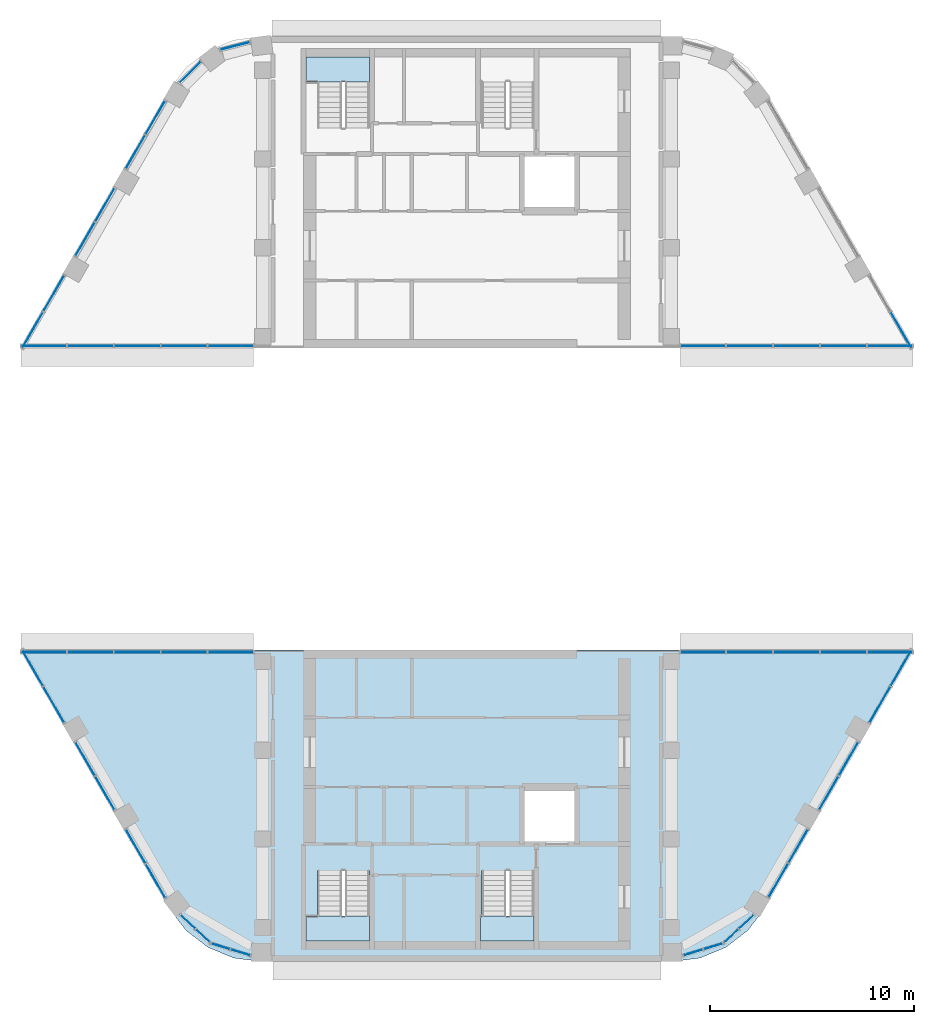
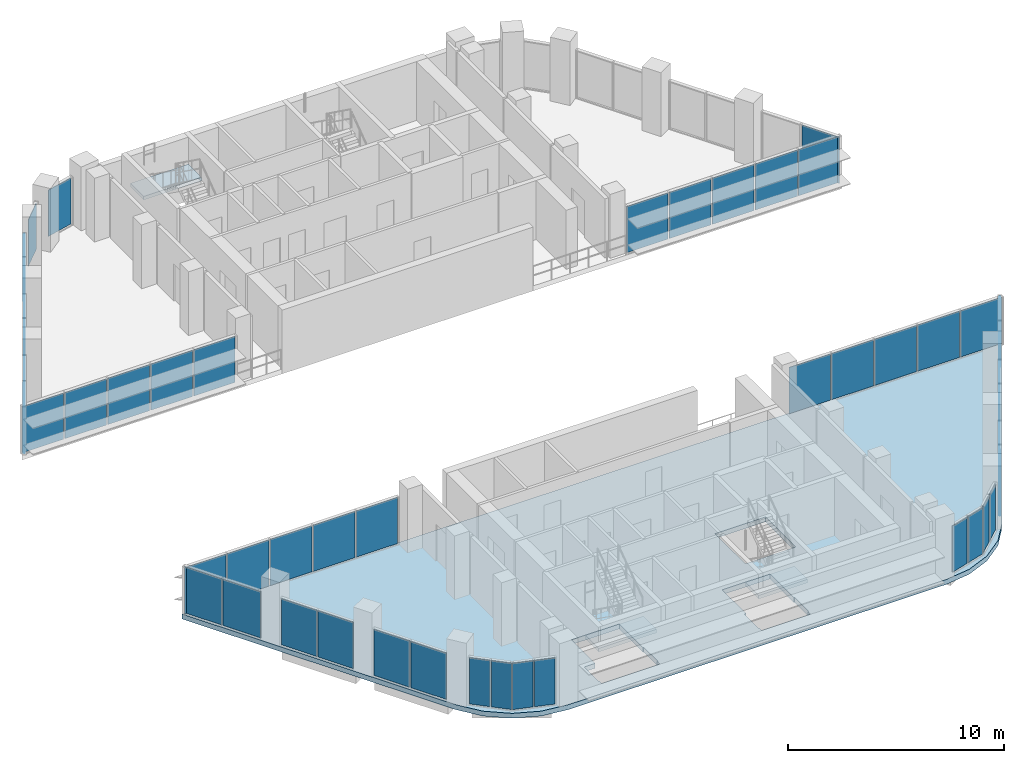
# One storey, part 8 of 15: 49 plates, 4 slabs, 23 elements without a shape of their own.
"""IFC4 building model written with IfcOpenShell, lengths in metres."""

from ifc_helpers import new_model, si_unit, direction, frame, origin, origin_2d, place, context, subcontext, project, spatial, polyline, rectangle, outline, extrude, material, layer, layer_set, type_object, element, aggregate, save


model = new_model("IFC4")

# Units and contexts
model_context = context("Model", 3, precision=1e-05, world=origin(), true_north=direction((0.0, 1.0)))
body_context = subcontext(model_context, "Body", "Model", "MODEL_VIEW")
ifc_project = project(units=[si_unit("LENGTHUNIT", "METRE"), si_unit("AREAUNIT", "SQUARE_METRE"), si_unit("VOLUMEUNIT", "CUBIC_METRE"), si_unit("PLANEANGLEUNIT", "RADIAN"), si_unit("MASSUNIT", "GRAM", prefix="KILO")], contexts=[model_context])

# Site, building, storey
site_placement = place(None, origin())
site = spatial("IfcSite", under=ifc_project, at=site_placement, CompositionType="ELEMENT")
building_placement = place(site_placement, origin())
building = spatial("IfcBuilding", under=site, at=building_placement, Name="Nakaniwa Court", CompositionType="ELEMENT")
storey_placement = place(building_placement, frame((0.0, 0.0, 283.199951171875)))
storey = spatial("IfcBuildingStorey", under=building, at=storey_placement, Name="C04", CompositionType="ELEMENT", Elevation=283.199951171875)

# Slab
ifc_material_1 = material(Name="Concrete C80/100", Category="concrete")
ifc_layer_1 = layer(ifc_material_1, 0.27490234375)
ifc_layer_set_1 = layer_set([ifc_layer_1], Name="Concrete C80/100")
slab_type_1 = type_object("IfcSlabType", Name="Concrete C80/100 post tensioned floor slab 275", PredefinedType="FLOOR", material=ifc_layer_set_1)
slab_1_placement = place(storey_placement, frame((0.0, 0.0, -0.27490234375)))
element("IfcSlab", 1, at=slab_1_placement, inside=storey, type_object=slab_type_1, Name="FLOOR SLAB", PredefinedType="FLOOR", context=body_context, shape_type="SweptSolid", body=[
    extrude(outline(polyline([(93.751708984375, 58.873046875), (94.578125, 59.949951171875), (101.881591796875, 72.60009765625), (58.118408203125, 72.60009765625), (65.421875, 59.949951171875), (66.248291015625, 58.873046875), (67.3251953125, 58.046630859375), (68.579345703125, 57.527099609375), (69.92529296875, 57.35009765625), (90.07470703125, 57.35009765625), (91.420654296875, 57.527099609375), (92.6748046875, 58.046630859375), (93.751708984375, 58.873046875)]), holes=[polyline([(75.22509765625, 58.31005859375), (75.264892578125, 58.31005859375), (75.264892578125, 59.614990234375), (75.22509765625, 59.614990234375), (75.22509765625, 61.81005859375), (72.675048828125, 61.81005859375), (72.675048828125, 59.614990234375), (72.0849609375, 59.614990234375), (72.0849609375, 58.31005859375), (72.125, 58.31005859375), (72.125, 58.074951171875), (75.22509765625, 58.074951171875), (75.22509765625, 58.31005859375)]), polyline([(83.27490234375, 58.31005859375), (83.31494140625, 58.31005859375), (83.31494140625, 59.614990234375), (83.27490234375, 59.614990234375), (83.27490234375, 61.81005859375), (80.72509765625, 61.81005859375), (80.72509765625, 59.614990234375), (80.635009765625, 59.614990234375), (80.635009765625, 58.31005859375), (80.675048828125, 58.31005859375), (80.675048828125, 58.074951171875), (83.27490234375, 58.074951171875), (83.27490234375, 58.31005859375)]), polyline([(82.699951171875, 63.10009765625), (85.39990234375, 63.10009765625), (85.39990234375, 65.89990234375), (82.699951171875, 65.89990234375), (82.699951171875, 63.10009765625)])]), origin(), (0.0, 0.0, 1.0), 0.27490234375),
])

# Curtain wall, plates
ifc_material_2 = material(Name="Black anodised aluminium frame with dark low-E laminated double glazing", Category="aluminium")
ifc_layer_2 = layer(ifc_material_2, 0.199951171875)
ifc_layer_set_2 = layer_set([ifc_layer_2], Name="Black anodised aluminium frame with dark low-E laminated double glazing")
curtain_wall_type = type_object("IfcCurtainWallType", Name="Crown curtain wall", PredefinedType="NOTDEFINED", material=ifc_layer_set_2)
curtain_wall_1_placement = place(storey_placement, origin())
curtain_wall_1 = element("IfcCurtainWall", 2, at=curtain_wall_1_placement, inside=storey, type_object=curtain_wall_type, Name="C04 curtain wall CW4 00", PredefinedType="NOTDEFINED")
ifc_material_3 = material(Name="Dark toughened glass", Category="glass")
ifc_layer_3 = layer(ifc_material_3, 0.007, Name="Outer pane")
ifc_material_4 = material(Name="Argon filled cavity")
ifc_layer_4 = layer(ifc_material_4, 0.016, Name="Cavity")
ifc_material_5 = material(Name="Dark laminated safety glass", Category="glass")
ifc_layer_5 = layer(ifc_material_5, 0.007, Name="Inner pane")
ifc_layer_set_3 = layer_set([ifc_layer_3, ifc_layer_4, ifc_layer_5], Name="Dark low-E laminated double glazing")
plate_type = type_object("IfcPlateType", Name="Crown curtain wall glass panel", PredefinedType="CURTAIN_PANEL", material=ifc_layer_set_3)
plate_1_placement = place(storey_placement, frame((95.25537109375, 61.322998046875, 0.05517578125), z_axis=(0.0, 0.0, 1.0), x_axis=(0.499986540445, 0.866033174523, 0.0)))
plate_1 = element("IfcPlate", 3, at=plate_1_placement, type_object=plate_type, Name="CW4 panel 1.1", PredefinedType="CURTAIN_PANEL", context=body_context, shape_type="SweptSolid", body=[
    extrude(rectangle(XDim=1.874755859375, YDim=0.030029296875, at=origin_2d()), origin(), (0.0, 0.0, 1.0), 2.614990234375),
])
plate_2_placement = place(storey_placement, frame((96.22509765625, 63.0029296875, 0.05517578125), z_axis=(0.0, 0.0, 1.0), x_axis=(0.499986540445, 0.866033174523, 0.0)))
plate_2 = element("IfcPlate", 4, at=plate_2_placement, type_object=plate_type, Name="CW4 panel 2.1", PredefinedType="CURTAIN_PANEL", context=body_context, shape_type="SweptSolid", body=[
    extrude(rectangle(XDim=1.874755859375, YDim=0.030029296875, at=origin_2d()), origin(), (0.0, 0.0, 1.0), 2.614990234375),
])
aggregate(curtain_wall_1, [plate_1, plate_2])

curtain_wall_2_placement = place(storey_placement, origin())
curtain_wall_2 = element("IfcCurtainWall", 5, at=curtain_wall_2_placement, inside=storey, type_object=curtain_wall_type, Name="C04 curtain wall CW4 01", PredefinedType="NOTDEFINED")
plate_3_placement = place(storey_placement, frame((97.723388671875, 65.597900390625, 0.05517578125), z_axis=(0.0, 0.0, 1.0), x_axis=(0.499986540445, 0.866033174523, 0.0)))
plate_3 = element("IfcPlate", 6, at=plate_3_placement, type_object=plate_type, Name="CW4 panel 1.1", PredefinedType="CURTAIN_PANEL", context=body_context, shape_type="SweptSolid", body=[
    extrude(rectangle(XDim=1.874755859375, YDim=0.030029296875, at=origin_2d()), origin(), (0.0, 0.0, 1.0), 2.614990234375),
])
plate_4_placement = place(storey_placement, frame((98.693359375, 67.27783203125, 0.05517578125), z_axis=(0.0, 0.0, 1.0), x_axis=(0.499986540445, 0.866033174523, 0.0)))
plate_4 = element("IfcPlate", 7, at=plate_4_placement, type_object=plate_type, Name="CW4 panel 2.1", PredefinedType="CURTAIN_PANEL", context=body_context, shape_type="SweptSolid", body=[
    extrude(rectangle(XDim=1.874755859375, YDim=0.030029296875, at=origin_2d()), origin(), (0.0, 0.0, 1.0), 2.614990234375),
])
aggregate(curtain_wall_2, [plate_3, plate_4])

curtain_wall_3_placement = place(storey_placement, origin())
curtain_wall_3 = element("IfcCurtainWall", 8, at=curtain_wall_3_placement, inside=storey, type_object=curtain_wall_type, Name="C04 curtain wall CW4 02", PredefinedType="NOTDEFINED")
plate_5_placement = place(storey_placement, frame((100.224609375, 69.93017578125, 0.05517578125), z_axis=(0.0, 0.0, 1.0), x_axis=(0.500007626024, 0.866021000852, 0.0)))
plate_5 = element("IfcPlate", 9, at=plate_5_placement, type_object=plate_type, Name="CW4 panel 1.1", PredefinedType="CURTAIN_PANEL", context=body_context, shape_type="SweptSolid", body=[
    extrude(rectangle(XDim=2.007080078125, YDim=0.030029296875, at=origin_2d()), origin(), (0.0, 0.0, 1.0), 2.614990234375),
])
plate_6_placement = place(storey_placement, frame((101.2607421875, 71.724609375, 0.05517578125), z_axis=(0.0, 0.0, 1.0), x_axis=(0.500007626024, 0.866021000852, 0.0)))
plate_6 = element("IfcPlate", 10, at=plate_6_placement, type_object=plate_type, Name="CW4 panel 2.1", PredefinedType="CURTAIN_PANEL", context=body_context, shape_type="SweptSolid", body=[
    extrude(rectangle(XDim=2.007080078125, YDim=0.030029296875, at=origin_2d()), origin(), (0.0, 0.0, 1.0), 2.614990234375),
])
aggregate(curtain_wall_3, [plate_5, plate_6])

curtain_wall_4_placement = place(storey_placement, origin())
curtain_wall_4 = element("IfcCurtainWall", 11, at=curtain_wall_4_placement, inside=storey, type_object=curtain_wall_type, Name="C04 curtain wall CW4 03", PredefinedType="NOTDEFINED")
plate_7_placement = place(storey_placement, frame((100.716796875, 72.5, 0.05517578125), z_axis=(0.0, 0.0, 1.0), x_axis=(-1.0, 0.0, 0.0)))
plate_7 = element("IfcPlate", 12, at=plate_7_placement, type_object=plate_type, Name="CW4 panel 1.1", PredefinedType="CURTAIN_PANEL", context=body_context, shape_type="SweptSolid", body=[
    extrude(rectangle(XDim=2.19970703125, YDim=0.030029296875, at=origin_2d()), origin(), (0.0, 0.0, 1.0), 2.614990234375),
])
plate_8_placement = place(storey_placement, frame((98.43603515625, 72.5, 0.05517578125), z_axis=(0.0, 0.0, 1.0), x_axis=(-1.0, 0.0, 0.0)))
plate_8 = element("IfcPlate", 13, at=plate_8_placement, type_object=plate_type, Name="CW4 panel 2.1", PredefinedType="CURTAIN_PANEL", context=body_context, shape_type="SweptSolid", body=[
    extrude(rectangle(XDim=2.232177734375, YDim=0.030029296875, at=origin_2d()), origin(), (0.0, 0.0, 1.0), 2.614990234375),
])
plate_9_placement = place(storey_placement, frame((96.138916015625, 72.5, 0.05517578125), z_axis=(0.0, 0.0, 1.0), x_axis=(-1.0, 0.0, 0.0)))
plate_9 = element("IfcPlate", 14, at=plate_9_placement, type_object=plate_type, Name="CW4 panel 3.1", PredefinedType="CURTAIN_PANEL", context=body_context, shape_type="SweptSolid", body=[
    extrude(rectangle(XDim=2.232177734375, YDim=0.030029296875, at=origin_2d()), origin(), (0.0, 0.0, 1.0), 2.614990234375),
])
plate_10_placement = place(storey_placement, frame((93.841796875, 72.5, 0.05517578125), z_axis=(0.0, 0.0, 1.0), x_axis=(-1.0, 0.0, 0.0)))
plate_10 = element("IfcPlate", 15, at=plate_10_placement, type_object=plate_type, Name="CW4 panel 4.1", PredefinedType="CURTAIN_PANEL", context=body_context, shape_type="SweptSolid", body=[
    extrude(rectangle(XDim=2.232177734375, YDim=0.030029296875, at=origin_2d()), origin(), (0.0, 0.0, 1.0), 2.614990234375),
])
plate_11_placement = place(storey_placement, frame((91.560791015625, 72.5, 0.05517578125), z_axis=(0.0, 0.0, 1.0), x_axis=(-1.0, 0.0, 0.0)))
plate_11 = element("IfcPlate", 16, at=plate_11_placement, type_object=plate_type, Name="CW4 panel 5.1", PredefinedType="CURTAIN_PANEL", context=body_context, shape_type="SweptSolid", body=[
    extrude(rectangle(XDim=2.19970703125, YDim=0.030029296875, at=origin_2d()), origin(), (0.0, 0.0, 1.0), 2.614990234375),
])
aggregate(curtain_wall_4, [plate_7, plate_8, plate_9, plate_10, plate_11])

curtain_wall_5_placement = place(storey_placement, origin())
curtain_wall_5 = element("IfcCurtainWall", 17, at=curtain_wall_5_placement, inside=storey, type_object=curtain_wall_type, Name="C04 curtain wall CW4 04", PredefinedType="NOTDEFINED")
plate_12_placement = place(storey_placement, frame((68.439208984375, 72.5, 0.05517578125), z_axis=(0.0, 0.0, 1.0), x_axis=(-1.0, 0.0, 0.0)))
plate_12 = element("IfcPlate", 18, at=plate_12_placement, type_object=plate_type, Name="CW4 panel 1.1", PredefinedType="CURTAIN_PANEL", context=body_context, shape_type="SweptSolid", body=[
    extrude(rectangle(XDim=2.19970703125, YDim=0.030029296875, at=origin_2d()), origin(), (0.0, 0.0, 1.0), 2.614990234375),
])
plate_13_placement = place(storey_placement, frame((66.158203125, 72.5, 0.05517578125), z_axis=(0.0, 0.0, 1.0), x_axis=(-1.0, 0.0, 0.0)))
plate_13 = element("IfcPlate", 19, at=plate_13_placement, type_object=plate_type, Name="CW4 panel 2.1", PredefinedType="CURTAIN_PANEL", context=body_context, shape_type="SweptSolid", body=[
    extrude(rectangle(XDim=2.232177734375, YDim=0.030029296875, at=origin_2d()), origin(), (0.0, 0.0, 1.0), 2.614990234375),
])
plate_14_placement = place(storey_placement, frame((63.861083984375, 72.5, 0.05517578125), z_axis=(0.0, 0.0, 1.0), x_axis=(-1.0, 0.0, 0.0)))
plate_14 = element("IfcPlate", 20, at=plate_14_placement, type_object=plate_type, Name="CW4 panel 3.1", PredefinedType="CURTAIN_PANEL", context=body_context, shape_type="SweptSolid", body=[
    extrude(rectangle(XDim=2.232177734375, YDim=0.030029296875, at=origin_2d()), origin(), (0.0, 0.0, 1.0), 2.614990234375),
])
plate_15_placement = place(storey_placement, frame((61.56396484375, 72.5, 0.05517578125), z_axis=(0.0, 0.0, 1.0), x_axis=(-1.0, 0.0, 0.0)))
plate_15 = element("IfcPlate", 21, at=plate_15_placement, type_object=plate_type, Name="CW4 panel 4.1", PredefinedType="CURTAIN_PANEL", context=body_context, shape_type="SweptSolid", body=[
    extrude(rectangle(XDim=2.232177734375, YDim=0.030029296875, at=origin_2d()), origin(), (0.0, 0.0, 1.0), 2.614990234375),
])
plate_16_placement = place(storey_placement, frame((59.283203125, 72.5, 0.05517578125), z_axis=(0.0, 0.0, 1.0), x_axis=(-1.0, 0.0, 0.0)))
plate_16 = element("IfcPlate", 22, at=plate_16_placement, type_object=plate_type, Name="CW4 panel 5.1", PredefinedType="CURTAIN_PANEL", context=body_context, shape_type="SweptSolid", body=[
    extrude(rectangle(XDim=2.19970703125, YDim=0.030029296875, at=origin_2d()), origin(), (0.0, 0.0, 1.0), 2.614990234375),
])
aggregate(curtain_wall_5, [plate_12, plate_13, plate_14, plate_15, plate_16])

curtain_wall_6_placement = place(storey_placement, origin())
curtain_wall_6 = element("IfcCurtainWall", 23, at=curtain_wall_6_placement, inside=storey, type_object=curtain_wall_type, Name="C04 curtain wall CW4 05", PredefinedType="NOTDEFINED")
plate_17_placement = place(storey_placement, frame((58.7392578125, 71.724609375, 0.05517578125), z_axis=(0.0, 0.0, 1.0), x_axis=(0.500007626024, -0.866021000852, 0.0)))
plate_17 = element("IfcPlate", 24, at=plate_17_placement, type_object=plate_type, Name="CW4 panel 1.1", PredefinedType="CURTAIN_PANEL", context=body_context, shape_type="SweptSolid", body=[
    extrude(rectangle(XDim=2.007080078125, YDim=0.030029296875, at=origin_2d()), origin(), (0.0, 0.0, 1.0), 2.614990234375),
])
plate_18_placement = place(storey_placement, frame((59.775390625, 69.93017578125, 0.05517578125), z_axis=(0.0, 0.0, 1.0), x_axis=(0.500007626024, -0.866021000852, 0.0)))
plate_18 = element("IfcPlate", 25, at=plate_18_placement, type_object=plate_type, Name="CW4 panel 2.1", PredefinedType="CURTAIN_PANEL", context=body_context, shape_type="SweptSolid", body=[
    extrude(rectangle(XDim=2.007080078125, YDim=0.030029296875, at=origin_2d()), origin(), (0.0, 0.0, 1.0), 2.614990234375),
])
aggregate(curtain_wall_6, [plate_17, plate_18])

curtain_wall_7_placement = place(storey_placement, origin())
curtain_wall_7 = element("IfcCurtainWall", 26, at=curtain_wall_7_placement, inside=storey, type_object=curtain_wall_type, Name="C04 curtain wall CW4 06", PredefinedType="NOTDEFINED")
plate_19_placement = place(storey_placement, frame((61.306640625, 67.27783203125, 0.05517578125), z_axis=(0.0, 0.0, 1.0), x_axis=(0.499986540445, -0.866033174523, 0.0)))
plate_19 = element("IfcPlate", 27, at=plate_19_placement, type_object=plate_type, Name="CW4 panel 1.1", PredefinedType="CURTAIN_PANEL", context=body_context, shape_type="SweptSolid", body=[
    extrude(rectangle(XDim=1.874755859375, YDim=0.030029296875, at=origin_2d()), origin(), (0.0, 0.0, 1.0), 2.614990234375),
])
plate_20_placement = place(storey_placement, frame((62.276611328125, 65.597900390625, 0.05517578125), z_axis=(0.0, 0.0, 1.0), x_axis=(0.499986540445, -0.866033174523, 0.0)))
plate_20 = element("IfcPlate", 28, at=plate_20_placement, type_object=plate_type, Name="CW4 panel 2.1", PredefinedType="CURTAIN_PANEL", context=body_context, shape_type="SweptSolid", body=[
    extrude(rectangle(XDim=1.874755859375, YDim=0.030029296875, at=origin_2d()), origin(), (0.0, 0.0, 1.0), 2.614990234375),
])
aggregate(curtain_wall_7, [plate_19, plate_20])

curtain_wall_8_placement = place(storey_placement, origin())
curtain_wall_8 = element("IfcCurtainWall", 29, at=curtain_wall_8_placement, inside=storey, type_object=curtain_wall_type, Name="C04 curtain wall CW4 07", PredefinedType="NOTDEFINED")
plate_21_placement = place(storey_placement, frame((63.779296875, 62.995361328125, 0.05517578125), z_axis=(0.0, 0.0, 1.0), x_axis=(0.499995809815, -0.866027822975, 0.0)))
plate_21 = element("IfcPlate", 30, at=plate_21_placement, type_object=plate_type, Name="CW4 panel 1.1", PredefinedType="CURTAIN_PANEL", context=body_context, shape_type="SweptSolid", body=[
    extrude(rectangle(XDim=1.892333984375, YDim=0.030029296875, at=origin_2d()), origin(), (0.0, 0.0, 1.0), 2.614990234375),
])
plate_22_placement = place(storey_placement, frame((64.7578125, 61.30029296875, 0.05517578125), z_axis=(0.0, 0.0, 1.0), x_axis=(0.499995809815, -0.866027822975, 0.0)))
plate_22 = element("IfcPlate", 31, at=plate_22_placement, type_object=plate_type, Name="CW4 panel 2.1", PredefinedType="CURTAIN_PANEL", context=body_context, shape_type="SweptSolid", body=[
    extrude(rectangle(XDim=1.892333984375, YDim=0.030029296875, at=origin_2d()), origin(), (0.0, 0.0, 1.0), 2.614990234375),
])
aggregate(curtain_wall_8, [plate_21, plate_22])

curtain_wall_9_placement = place(storey_placement, origin())
curtain_wall_9 = element("IfcCurtainWall", 32, at=curtain_wall_9_placement, inside=storey, type_object=curtain_wall_type, Name="C04 curtain wall CW4 08", PredefinedType="NOTDEFINED")
plate_23_placement = place(storey_placement, frame((66.3349609375, 59.296875, 0.05517578125), z_axis=(0.0, 0.0, 1.0), x_axis=(0.729311166562, -0.684182155809, 0.0)))
plate_23 = element("IfcPlate", 33, at=plate_23_placement, type_object=plate_type, Name="CW4 panel 1.1", PredefinedType="CURTAIN_PANEL", context=body_context, shape_type="SweptSolid", body=[
    extrude(rectangle(XDim=0.965087890625, YDim=0.030029296875, at=origin_2d()), origin(), (0.0, 0.0, 1.0), 2.614990234375),
])
plate_24_placement = place(storey_placement, frame((67.086181640625, 58.592041015625, 0.05517578125), z_axis=(0.0, 0.0, 1.0), x_axis=(0.729311166562, -0.684182155809, 0.0)))
plate_24 = element("IfcPlate", 34, at=plate_24_placement, type_object=plate_type, Name="CW4 panel 2.1", PredefinedType="CURTAIN_PANEL", context=body_context, shape_type="SweptSolid", body=[
    extrude(rectangle(XDim=0.965087890625, YDim=0.030029296875, at=origin_2d()), origin(), (0.0, 0.0, 1.0), 2.614990234375),
])
aggregate(curtain_wall_9, [plate_23, plate_24])

curtain_wall_10_placement = place(storey_placement, origin())
curtain_wall_10 = element("IfcCurtainWall", 35, at=curtain_wall_10_placement, inside=storey, type_object=curtain_wall_type, Name="C04 curtain wall CW4 09", PredefinedType="NOTDEFINED")
plate_25_placement = place(storey_placement, frame((67.920654296875, 58.10302734375, 0.05517578125), z_axis=(0.0, 0.0, 1.0), x_axis=(0.955957155976, -0.293506245143, 0.0)))
plate_25 = element("IfcPlate", 36, at=plate_25_placement, type_object=plate_type, Name="CW4 panel 1.1", PredefinedType="CURTAIN_PANEL", context=body_context, shape_type="SweptSolid", body=[
    extrude(rectangle(XDim=0.9755859375, YDim=0.030029296875, at=origin_2d()), origin(), (0.0, 0.0, 1.0), 2.614990234375),
])
plate_26_placement = place(storey_placement, frame((68.915283203125, 57.797607421875, 0.05517578125), z_axis=(0.0, 0.0, 1.0), x_axis=(0.955957155976, -0.293506245143, 0.0)))
plate_26 = element("IfcPlate", 37, at=plate_26_placement, type_object=plate_type, Name="CW4 panel 2.1", PredefinedType="CURTAIN_PANEL", context=body_context, shape_type="SweptSolid", body=[
    extrude(rectangle(XDim=0.9755859375, YDim=0.030029296875, at=origin_2d()), origin(), (0.0, 0.0, 1.0), 2.614990234375),
])
aggregate(curtain_wall_10, [plate_25, plate_26])

curtain_wall_11_placement = place(storey_placement, origin())
curtain_wall_11 = element("IfcCurtainWall", 38, at=curtain_wall_11_placement, inside=storey, type_object=curtain_wall_type, Name="C04 curtain wall CW4 11", PredefinedType="NOTDEFINED")
plate_27_placement = place(storey_placement, frame((91.080322265625, 57.797607421875, 0.05517578125), z_axis=(0.0, 0.0, 1.0), x_axis=(0.956093974267, 0.293060253821, 0.0)))
plate_27 = element("IfcPlate", 39, at=plate_27_placement, type_object=plate_type, Name="CW4 panel 1.1", PredefinedType="CURTAIN_PANEL", context=body_context, shape_type="SweptSolid", body=[
    extrude(rectangle(XDim=0.978271484375, YDim=0.030029296875, at=origin_2d()), origin(), (0.0, 0.0, 1.0), 2.614990234375),
])
plate_28_placement = place(storey_placement, frame((92.077880859375, 58.103271484375, 0.05517578125), z_axis=(0.0, 0.0, 1.0), x_axis=(0.956093974267, 0.293060253821, 0.0)))
plate_28 = element("IfcPlate", 40, at=plate_28_placement, type_object=plate_type, Name="CW4 panel 2.1", PredefinedType="CURTAIN_PANEL", context=body_context, shape_type="SweptSolid", body=[
    extrude(rectangle(XDim=0.978271484375, YDim=0.030029296875, at=origin_2d()), origin(), (0.0, 0.0, 1.0), 2.614990234375),
])
aggregate(curtain_wall_11, [plate_27, plate_28])

curtain_wall_12_placement = place(storey_placement, origin())
curtain_wall_12 = element("IfcCurtainWall", 41, at=curtain_wall_12_placement, inside=storey, type_object=curtain_wall_type, Name="C04 curtain wall CW4 12", PredefinedType="NOTDEFINED")
plate_29_placement = place(storey_placement, frame((92.923828125, 58.590576171875, 0.05517578125), z_axis=(0.0, 0.0, 1.0), x_axis=(0.732114316001, 0.681181788002, 0.0)))
plate_29 = element("IfcPlate", 42, at=plate_29_placement, type_object=plate_type, Name="CW4 panel 1.1", PredefinedType="CURTAIN_PANEL", context=body_context, shape_type="SweptSolid", body=[
    extrude(rectangle(XDim=0.9755859375, YDim=0.030029296875, at=origin_2d()), origin(), (0.0, 0.0, 1.0), 2.614990234375),
])
plate_30_placement = place(storey_placement, frame((93.685546875, 59.29931640625, 0.05517578125), z_axis=(0.0, 0.0, 1.0), x_axis=(0.732114316001, 0.681181788002, 0.0)))
plate_30 = element("IfcPlate", 43, at=plate_30_placement, type_object=plate_type, Name="CW4 panel 2.1", PredefinedType="CURTAIN_PANEL", context=body_context, shape_type="SweptSolid", body=[
    extrude(rectangle(XDim=0.9755859375, YDim=0.030029296875, at=origin_2d()), origin(), (0.0, 0.0, 1.0), 2.614990234375),
])
aggregate(curtain_wall_12, [plate_29, plate_30])

curtain_wall_13_placement = place(storey_placement, origin())
curtain_wall_13 = element("IfcCurtainWall", 44, at=curtain_wall_13_placement, inside=storey, type_object=curtain_wall_type, Name="C04 curtain wall CW4 13", PredefinedType="NOTDEFINED")
plate_31_placement = place(storey_placement, frame((64.74462890625, 98.677001953125, 0.05517578125), z_axis=(0.0, 0.0, 1.0), x_axis=(-0.499986540445, -0.866033174523, 0.0)))
plate_31 = element("IfcPlate", 45, at=plate_31_placement, type_object=plate_type, Name="CW4 panel 1.1", PredefinedType="CURTAIN_PANEL", context=body_context, shape_type="SweptSolid", body=[
    extrude(rectangle(XDim=1.874755859375, YDim=0.030029296875, at=origin_2d()), origin(), (0.0, 0.0, 1.0), 2.614990234375),
])
plate_32_placement = place(storey_placement, frame((63.77490234375, 96.9970703125, 0.05517578125), z_axis=(0.0, 0.0, 1.0), x_axis=(-0.499986540445, -0.866033174523, 0.0)))
plate_32 = element("IfcPlate", 46, at=plate_32_placement, type_object=plate_type, Name="CW4 panel 2.1", PredefinedType="CURTAIN_PANEL", context=body_context, shape_type="SweptSolid", body=[
    extrude(rectangle(XDim=1.874755859375, YDim=0.030029296875, at=origin_2d()), origin(), (0.0, 0.0, 1.0), 2.614990234375),
])
aggregate(curtain_wall_13, [plate_31, plate_32])

curtain_wall_14_placement = place(storey_placement, origin())
curtain_wall_14 = element("IfcCurtainWall", 47, at=curtain_wall_14_placement, inside=storey, type_object=curtain_wall_type, Name="C04 curtain wall CW4 14", PredefinedType="NOTDEFINED")
plate_33_placement = place(storey_placement, frame((62.276611328125, 94.402099609375, 0.05517578125), z_axis=(0.0, 0.0, 1.0), x_axis=(-0.499986540445, -0.866033174523, 0.0)))
plate_33 = element("IfcPlate", 48, at=plate_33_placement, type_object=plate_type, Name="CW4 panel 1.1", PredefinedType="CURTAIN_PANEL", context=body_context, shape_type="SweptSolid", body=[
    extrude(rectangle(XDim=1.874755859375, YDim=0.030029296875, at=origin_2d()), origin(), (0.0, 0.0, 1.0), 2.614990234375),
])
plate_34_placement = place(storey_placement, frame((61.306640625, 92.72216796875, 0.05517578125), z_axis=(0.0, 0.0, 1.0), x_axis=(-0.499986540445, -0.866033174523, 0.0)))
plate_34 = element("IfcPlate", 49, at=plate_34_placement, type_object=plate_type, Name="CW4 panel 2.1", PredefinedType="CURTAIN_PANEL", context=body_context, shape_type="SweptSolid", body=[
    extrude(rectangle(XDim=1.874755859375, YDim=0.030029296875, at=origin_2d()), origin(), (0.0, 0.0, 1.0), 2.614990234375),
])
aggregate(curtain_wall_14, [plate_33, plate_34])

curtain_wall_15_placement = place(storey_placement, origin())
curtain_wall_15 = element("IfcCurtainWall", 50, at=curtain_wall_15_placement, inside=storey, type_object=curtain_wall_type, Name="C04 curtain wall CW4 15", PredefinedType="NOTDEFINED")
plate_35_placement = place(storey_placement, frame((59.775390625, 90.06982421875, 0.05517578125), z_axis=(0.0, 0.0, 1.0), x_axis=(-0.500007626024, -0.866021000852, 0.0)))
plate_35 = element("IfcPlate", 51, at=plate_35_placement, type_object=plate_type, Name="CW4 panel 1.1", PredefinedType="CURTAIN_PANEL", context=body_context, shape_type="SweptSolid", body=[
    extrude(rectangle(XDim=2.007080078125, YDim=0.030029296875, at=origin_2d()), origin(), (0.0, 0.0, 1.0), 2.614990234375),
])
plate_36_placement = place(storey_placement, frame((58.7392578125, 88.275390625, 0.05517578125), z_axis=(0.0, 0.0, 1.0), x_axis=(-0.500007626024, -0.866021000852, 0.0)))
plate_36 = element("IfcPlate", 52, at=plate_36_placement, type_object=plate_type, Name="CW4 panel 2.1", PredefinedType="CURTAIN_PANEL", context=body_context, shape_type="SweptSolid", body=[
    extrude(rectangle(XDim=2.007080078125, YDim=0.030029296875, at=origin_2d()), origin(), (0.0, 0.0, 1.0), 2.614990234375),
])
aggregate(curtain_wall_15, [plate_35, plate_36])

curtain_wall_16_placement = place(storey_placement, origin())
curtain_wall_16 = element("IfcCurtainWall", 53, at=curtain_wall_16_placement, inside=storey, type_object=curtain_wall_type, Name="C04 curtain wall CW4 16", PredefinedType="NOTDEFINED")
plate_37_placement = place(storey_placement, frame((59.283203125, 87.5, 0.05517578125), z_axis=(0.0, 0.0, 1.0), x_axis=(1.0, 0.0, 0.0)))
plate_37 = element("IfcPlate", 54, at=plate_37_placement, type_object=plate_type, Name="CW4 panel 1.1", PredefinedType="CURTAIN_PANEL", context=body_context, shape_type="SweptSolid", body=[
    extrude(rectangle(XDim=2.19970703125, YDim=0.030029296875, at=origin_2d()), origin(), (0.0, 0.0, 1.0), 2.614990234375),
])
plate_38_placement = place(storey_placement, frame((61.56396484375, 87.5, 0.05517578125), z_axis=(0.0, 0.0, 1.0), x_axis=(1.0, 0.0, 0.0)))
plate_38 = element("IfcPlate", 55, at=plate_38_placement, type_object=plate_type, Name="CW4 panel 2.1", PredefinedType="CURTAIN_PANEL", context=body_context, shape_type="SweptSolid", body=[
    extrude(rectangle(XDim=2.232177734375, YDim=0.030029296875, at=origin_2d()), origin(), (0.0, 0.0, 1.0), 2.614990234375),
])
plate_39_placement = place(storey_placement, frame((63.861083984375, 87.5, 0.05517578125), z_axis=(0.0, 0.0, 1.0), x_axis=(1.0, 0.0, 0.0)))
plate_39 = element("IfcPlate", 56, at=plate_39_placement, type_object=plate_type, Name="CW4 panel 3.1", PredefinedType="CURTAIN_PANEL", context=body_context, shape_type="SweptSolid", body=[
    extrude(rectangle(XDim=2.232177734375, YDim=0.030029296875, at=origin_2d()), origin(), (0.0, 0.0, 1.0), 2.614990234375),
])
plate_40_placement = place(storey_placement, frame((66.158203125, 87.5, 0.05517578125), z_axis=(0.0, 0.0, 1.0), x_axis=(1.0, 0.0, 0.0)))
plate_40 = element("IfcPlate", 57, at=plate_40_placement, type_object=plate_type, Name="CW4 panel 4.1", PredefinedType="CURTAIN_PANEL", context=body_context, shape_type="SweptSolid", body=[
    extrude(rectangle(XDim=2.232177734375, YDim=0.030029296875, at=origin_2d()), origin(), (0.0, 0.0, 1.0), 2.614990234375),
])
plate_41_placement = place(storey_placement, frame((68.439208984375, 87.5, 0.05517578125), z_axis=(0.0, 0.0, 1.0), x_axis=(1.0, 0.0, 0.0)))
plate_41 = element("IfcPlate", 58, at=plate_41_placement, type_object=plate_type, Name="CW4 panel 5.1", PredefinedType="CURTAIN_PANEL", context=body_context, shape_type="SweptSolid", body=[
    extrude(rectangle(XDim=2.19970703125, YDim=0.030029296875, at=origin_2d()), origin(), (0.0, 0.0, 1.0), 2.614990234375),
])
aggregate(curtain_wall_16, [plate_37, plate_38, plate_39, plate_40, plate_41])

curtain_wall_17_placement = place(storey_placement, origin())
curtain_wall_17 = element("IfcCurtainWall", 59, at=curtain_wall_17_placement, inside=storey, type_object=curtain_wall_type, Name="C04 curtain wall CW4 17", PredefinedType="NOTDEFINED")
plate_42_placement = place(storey_placement, frame((91.560791015625, 87.5, 0.05517578125), z_axis=(0.0, 0.0, 1.0), x_axis=(1.0, 0.0, 0.0)))
plate_42 = element("IfcPlate", 60, at=plate_42_placement, type_object=plate_type, Name="CW4 panel 1.1", PredefinedType="CURTAIN_PANEL", context=body_context, shape_type="SweptSolid", body=[
    extrude(rectangle(XDim=2.19970703125, YDim=0.030029296875, at=origin_2d()), origin(), (0.0, 0.0, 1.0), 2.614990234375),
])
plate_43_placement = place(storey_placement, frame((93.841796875, 87.5, 0.05517578125), z_axis=(0.0, 0.0, 1.0), x_axis=(1.0, 0.0, 0.0)))
plate_43 = element("IfcPlate", 61, at=plate_43_placement, type_object=plate_type, Name="CW4 panel 2.1", PredefinedType="CURTAIN_PANEL", context=body_context, shape_type="SweptSolid", body=[
    extrude(rectangle(XDim=2.232177734375, YDim=0.030029296875, at=origin_2d()), origin(), (0.0, 0.0, 1.0), 2.614990234375),
])
plate_44_placement = place(storey_placement, frame((96.138916015625, 87.5, 0.05517578125), z_axis=(0.0, 0.0, 1.0), x_axis=(1.0, 0.0, 0.0)))
plate_44 = element("IfcPlate", 62, at=plate_44_placement, type_object=plate_type, Name="CW4 panel 3.1", PredefinedType="CURTAIN_PANEL", context=body_context, shape_type="SweptSolid", body=[
    extrude(rectangle(XDim=2.232177734375, YDim=0.030029296875, at=origin_2d()), origin(), (0.0, 0.0, 1.0), 2.614990234375),
])
plate_45_placement = place(storey_placement, frame((98.43603515625, 87.5, 0.05517578125), z_axis=(0.0, 0.0, 1.0), x_axis=(1.0, 0.0, 0.0)))
plate_45 = element("IfcPlate", 63, at=plate_45_placement, type_object=plate_type, Name="CW4 panel 4.1", PredefinedType="CURTAIN_PANEL", context=body_context, shape_type="SweptSolid", body=[
    extrude(rectangle(XDim=2.232177734375, YDim=0.030029296875, at=origin_2d()), origin(), (0.0, 0.0, 1.0), 2.614990234375),
])
plate_46_placement = place(storey_placement, frame((100.716796875, 87.5, 0.05517578125), z_axis=(0.0, 0.0, 1.0), x_axis=(1.0, 0.0, 0.0)))
plate_46 = element("IfcPlate", 64, at=plate_46_placement, type_object=plate_type, Name="CW4 panel 5.1", PredefinedType="CURTAIN_PANEL", context=body_context, shape_type="SweptSolid", body=[
    extrude(rectangle(XDim=2.19970703125, YDim=0.030029296875, at=origin_2d()), origin(), (0.0, 0.0, 1.0), 2.614990234375),
])
aggregate(curtain_wall_17, [plate_42, plate_43, plate_44, plate_45, plate_46])

# Curtain wall, plate
curtain_wall_18_placement = place(storey_placement, origin())
curtain_wall_18 = element("IfcCurtainWall", 65, at=curtain_wall_18_placement, inside=storey, type_object=curtain_wall_type, Name="C04 curtain wall CW4 18", PredefinedType="NOTDEFINED")
plate_47_placement = place(storey_placement, frame((101.2607421875, 88.275390625, 0.05517578125), z_axis=(0.0, 0.0, 1.0), x_axis=(-0.500007626024, 0.866021000852, 0.0)))
plate_47 = element("IfcPlate", 66, at=plate_47_placement, type_object=plate_type, Name="CW4 panel 1.1", PredefinedType="CURTAIN_PANEL", context=body_context, shape_type="SweptSolid", body=[
    extrude(rectangle(XDim=2.007080078125, YDim=0.030029296875, at=origin_2d()), origin(), (0.0, 0.0, 1.0), 2.614990234375),
])
aggregate(curtain_wall_18, [plate_47])

curtain_wall_19_placement = place(storey_placement, origin())
curtain_wall_19 = element("IfcCurtainWall", 67, at=curtain_wall_19_placement, inside=storey, type_object=curtain_wall_type, Name="C04 curtain wall CW4 24", PredefinedType="NOTDEFINED")
plate_48_placement = place(storey_placement, frame((68.650390625, 102.18359375, 0.05517578125), z_axis=(0.0, 0.0, 1.0), x_axis=(-0.968746424222, -0.248053150669, 0.0)))
plate_48 = element("IfcPlate", 68, at=plate_48_placement, type_object=plate_type, Name="CW4 panel 1.1", PredefinedType="CURTAIN_PANEL", context=body_context, shape_type="SweptSolid", body=[
    extrude(rectangle(XDim=1.468017578125, YDim=0.030029296875, at=origin_2d()), origin(), (0.0, 0.0, 1.0), 2.614990234375),
])
aggregate(curtain_wall_19, [plate_48])

curtain_wall_20_placement = place(storey_placement, origin())
curtain_wall_20 = element("IfcCurtainWall", 69, at=curtain_wall_20_placement, inside=storey, type_object=curtain_wall_type, Name="C04 curtain wall CW4 25", PredefinedType="NOTDEFINED")
plate_49_placement = place(storey_placement, frame((66.445068359375, 100.892333984375, 0.05517578125), z_axis=(0.0, 0.0, 1.0), x_axis=(-0.708563227169, -0.705647329126, 0.0)))
plate_49 = element("IfcPlate", 70, at=plate_49_placement, type_object=plate_type, Name="CW4 panel 1.1", PredefinedType="CURTAIN_PANEL", context=body_context, shape_type="SweptSolid", body=[
    extrude(rectangle(XDim=1.447509765625, YDim=0.030029296875, at=origin_2d()), origin(), (0.0, 0.0, 1.0), 2.614990234375),
])
aggregate(curtain_wall_20, [plate_49])

# Stair, slab
stair_type = type_object("IfcStairType", Name="Dog leg stair 1200 wide 20 risers", PredefinedType="HALF_TURN_STAIR", material=ifc_material_1)
stair_1_placement = place(storey_placement, origin())
stair_1 = element("IfcStair", 71, at=stair_1_placement, inside=storey, type_object=stair_type, Name="C04 Stair ST1", PredefinedType="HALF_TURN_STAIR")
ifc_layer_6 = layer(ifc_material_1, 0.199951171875)
ifc_layer_set_4 = layer_set([ifc_layer_6], Name="Concrete C80/100")
slab_type_2 = type_object("IfcSlabType", Name="Stair landing concrete", PredefinedType="LANDING", material=ifc_layer_set_4)
slab_2_placement = place(storey_placement, frame((0.0, 0.0, 1.60009765625)))
slab_2 = element("IfcSlab", 72, at=slab_2_placement, type_object=slab_type_2, Name="ST1 landing 1", PredefinedType="LANDING", context=body_context, shape_type="SweptSolid", body=[
    extrude(outline(polyline([(75.22509765625, 100.425048828125), (75.22509765625, 101.64990234375), (72.125, 101.64990234375), (72.125, 100.425048828125), (75.22509765625, 100.425048828125)])), origin(), (0.0, 0.0, 1.0), 0.199951171875),
])
aggregate(stair_1, [slab_2])

stair_2_placement = place(storey_placement, origin())
stair_2 = element("IfcStair", 73, at=stair_2_placement, inside=storey, type_object=stair_type, Name="C04 Stair ST3", PredefinedType="HALF_TURN_STAIR")
slab_3_placement = place(storey_placement, frame((0.0, 0.0, 1.60009765625)))
slab_3 = element("IfcSlab", 74, at=slab_3_placement, type_object=slab_type_2, Name="ST3 landing 1", PredefinedType="LANDING", context=body_context, shape_type="SweptSolid", body=[
    extrude(outline(polyline([(75.22509765625, 58.35009765625), (75.22509765625, 59.574951171875), (72.125, 59.574951171875), (72.125, 58.35009765625), (75.22509765625, 58.35009765625)])), origin(), (0.0, 0.0, 1.0), 0.199951171875),
])
aggregate(stair_2, [slab_3])

stair_3_placement = place(storey_placement, origin())
stair_3 = element("IfcStair", 75, at=stair_3_placement, inside=storey, type_object=stair_type, Name="C04 Stair ST4", PredefinedType="HALF_TURN_STAIR")
slab_4_placement = place(storey_placement, frame((0.0, 0.0, 1.60009765625)))
slab_4 = element("IfcSlab", 76, at=slab_4_placement, type_object=slab_type_2, Name="ST4 landing 1", PredefinedType="LANDING", context=body_context, shape_type="SweptSolid", body=[
    extrude(outline(polyline([(83.27490234375, 58.35009765625), (83.27490234375, 59.574951171875), (80.675048828125, 59.574951171875), (80.675048828125, 58.35009765625), (83.27490234375, 58.35009765625)])), origin(), (0.0, 0.0, 1.0), 0.199951171875),
])
aggregate(stair_3, [slab_4])

save(model, "model.ifc")
